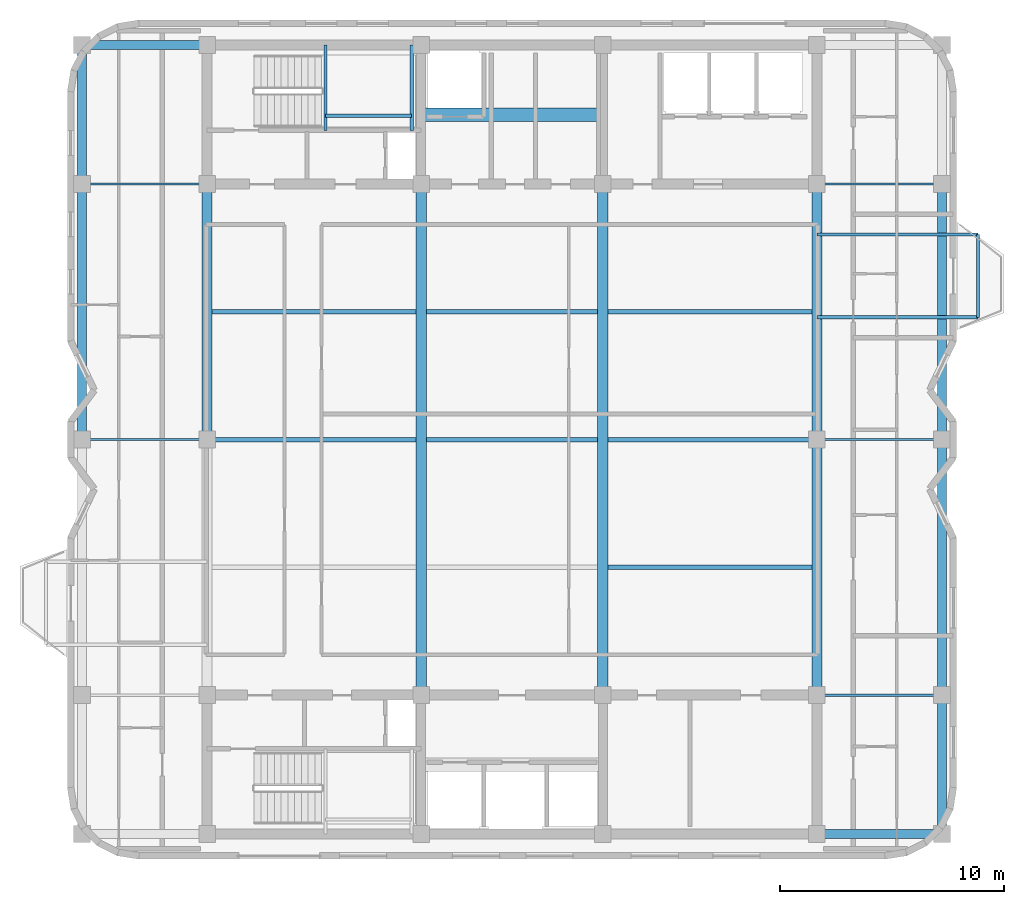
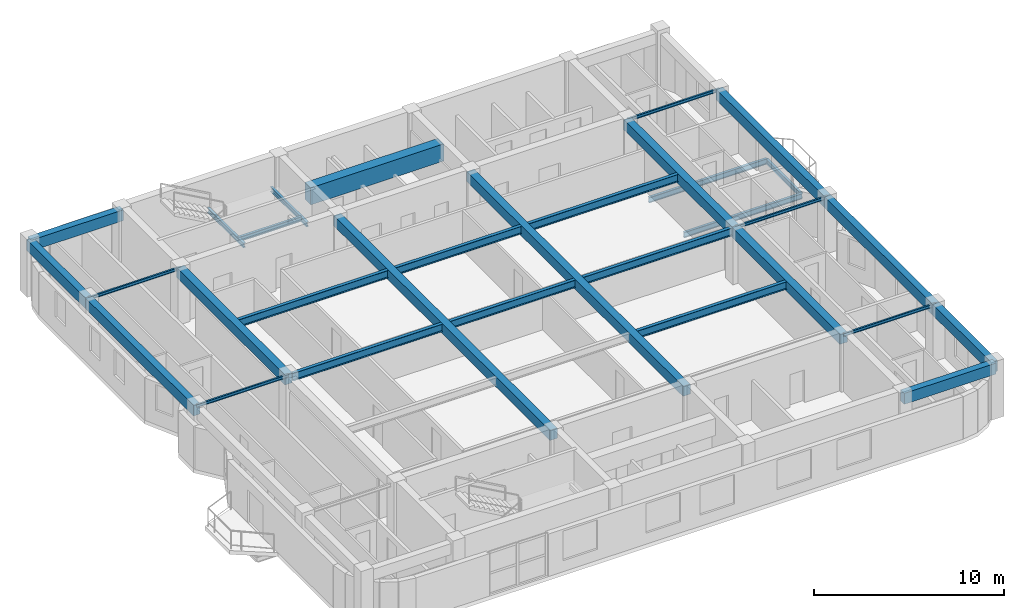
# One storey, part 3 of 11: 31 beams.
"""IFC4 building model written with IfcOpenShell, lengths in metres."""

import ifcopenshell
import ifcopenshell.guid

model = None  # the IFC model being written
_history = None  # IfcOwnerHistory: only IFC2X3 demands one
_inside = {}  # id of a spatial element -> (the spatial element, [elements in it])
_under = {}  # id of a project, library or spatial element -> (it, [spatial elements below it])
_declared = {}  # id of a project -> (the project, [libraries it declares])
_typed = {}  # id of a type object -> (the type object, [elements of that type])
_made_of = {}  # id of a material, layer set ... -> (it, [elements and type objects made of it])


def new_model(schema):
    """Start an empty IFC model of exactly this schema.

    Asked for "IFC4X3", IfcOpenShell would pick the latest addendum, in which some entities
    have other attributes; the version numbers below select the first issue.
    IFC2X3 requires an IfcOwnerHistory on every rooted entity: one is made here for all.
    """
    global model, _history
    if schema == "IFC4X3":
        model = ifcopenshell.file(schema_version=(4, 3, 0, 0))
    else:
        model = ifcopenshell.file(schema=schema)
    _inside.clear()
    _under.clear()
    _declared.clear()
    _typed.clear()
    _made_of.clear()
    _history = None
    if model.schema == "IFC2X3":
        org = make("IfcOrganization", Name="unknown")
        user = make(
            "IfcPersonAndOrganization",
            ThePerson=make("IfcPerson", FamilyName="unknown"),
            TheOrganization=org,
        )
        app = make(
            "IfcApplication",
            ApplicationDeveloper=org,
            Version="unknown",
            ApplicationFullName="unknown",
            ApplicationIdentifier="unknown",
        )
        _history = make(
            "IfcOwnerHistory",
            OwningUser=user,
            OwningApplication=app,
            ChangeAction="ADDED",
            CreationDate=0,
        )
    return model


def make(cls, **values):
    """One entity of the class cls with the attributes given. An attribute that is None is left unset."""
    return model.create_entity(
        cls, **{name: value for name, value in values.items() if value is not None}
    )


def rooted(cls, **values):
    """An entity with a GlobalId (a new one), such as an element, a storey or a relation."""
    return make(cls, GlobalId=ifcopenshell.guid.new(), OwnerHistory=_history, **values)


def si_unit(unit_type, name, prefix=None):
    """IfcSIUnit, for example si_unit("LENGTHUNIT", "METRE", prefix="MILLI")."""
    return make("IfcSIUnit", UnitType=unit_type, Prefix=prefix, Name=name)


def assignment(units):
    """IfcUnitAssignment: the units of a project."""
    return None if units is None else make("IfcUnitAssignment", Units=units)


def point(xyz):
    """IfcCartesianPoint."""
    return None if xyz is None else make("IfcCartesianPoint", Coordinates=xyz)


def direction(xyz):
    """IfcDirection."""
    return None if xyz is None else make("IfcDirection", DirectionRatios=xyz)


def frame(location, z_axis=None, x_axis=None):
    """IfcAxis2Placement3D, a coordinate frame: its origin and axes. An axis left out is left unset."""
    return make(
        "IfcAxis2Placement3D",
        Location=point(location),
        Axis=direction(z_axis),
        RefDirection=direction(x_axis),
    )


def frame_2d(location, x_axis=None):
    """IfcAxis2Placement2D, a coordinate frame in the plane: its origin and x axis."""
    return make(
        "IfcAxis2Placement2D", Location=point(location), RefDirection=direction(x_axis)
    )


def origin():
    """The frame at (0, 0, 0) with its axes left unset."""
    return frame((0.0, 0.0, 0.0))


def origin_2d():
    """The frame at (0, 0) in the plane with its x axis left unset."""
    return frame_2d((0.0, 0.0))


def place(relative_to, where):
    """IfcLocalPlacement: puts the frame where relative to a parent placement (None: the world)."""
    return make(
        "IfcLocalPlacement", PlacementRelTo=relative_to, RelativePlacement=where
    )


def context(
    kind, dimensions, precision=None, world=None, true_north=None, identifier=None
):
    """IfcGeometricRepresentationContext, for example the 3D "Model" context."""
    return make(
        "IfcGeometricRepresentationContext",
        ContextIdentifier=identifier,
        ContextType=kind,
        CoordinateSpaceDimension=dimensions,
        Precision=precision,
        WorldCoordinateSystem=world,
        TrueNorth=true_north,
    )


def subcontext(parent, identifier, kind, view, scale=None):
    """IfcGeometricRepresentationSubContext, for example "Body" below "Model"."""
    return make(
        "IfcGeometricRepresentationSubContext",
        ContextIdentifier=identifier,
        ContextType=kind,
        ParentContext=parent,
        TargetScale=scale,
        TargetView=view,
    )


def project(units=None, contexts=None):
    """IfcProject with its units and contexts."""
    return rooted(
        "IfcProject",
        Name="project",
        RepresentationContexts=contexts,
        UnitsInContext=assignment(units),
    )


def spatial(cls, under=None, at=None, **own):
    """A site, building, storey or space (cls), placed at a placement, below another one or the project."""
    s = rooted(cls, ObjectPlacement=at, **own)
    if under is not None:
        _under.setdefault(under.id(), (under, []))[1].append(s)
    return s


def profile(cls, at=None, kind="AREA", **sizes):
    """A parametric profile (cls). Its sizes go by their IFC names, for example OverallWidth=200.0."""
    return make(cls, ProfileType=kind, Position=at, **sizes)


def rectangle(**sizes):
    """IfcRectangleProfileDef."""
    return profile("IfcRectangleProfileDef", **sizes)


def i_section(**sizes):
    """IfcIShapeProfileDef."""
    return profile("IfcIShapeProfileDef", **sizes)


def extrude(swept, where, along, depth):
    """IfcExtrudedAreaSolid: the profile swept, set in the frame where, extruded along a direction by depth."""
    return make(
        "IfcExtrudedAreaSolid",
        SweptArea=swept,
        Position=where,
        ExtrudedDirection=direction(along),
        Depth=depth,
    )


def shape(context_of_items, identifier, shape_type, items):
    """IfcShapeRepresentation: the items that make up one representation, for example the "Body"."""
    return make(
        "IfcShapeRepresentation",
        ContextOfItems=context_of_items,
        RepresentationIdentifier=identifier,
        RepresentationType=shape_type,
        Items=items,
    )


def material(Name=None, Category=None):
    """IfcMaterial."""
    return make("IfcMaterial", Name=Name, Category=Category)


def material_profile(
    of_material, cross_section, Name=None, Category=None, Priority=None
):
    """IfcMaterialProfile: a cross section and its material."""
    return make(
        "IfcMaterialProfile",
        Name=Name,
        Material=of_material,
        Profile=cross_section,
        Priority=Priority,
        Category=Category,
    )


def profile_set(profiles, Name=None, composite=None):
    """IfcMaterialProfileSet."""
    return make(
        "IfcMaterialProfileSet",
        Name=Name,
        MaterialProfiles=profiles,
        CompositeProfile=composite,
    )


def made_of(thing, what):
    """Note that an element or type object is made of a material, layer set ...; save() writes the relation."""
    if what is not None:
        _made_of.setdefault(what.id(), (what, []))[1].append(thing)
    return thing


def type_object(cls, material=None, **own):
    """A type object (cls), such as IfcWallType, which elements share."""
    return made_of(rooted(cls, **own), material)


def element(
    cls,
    number,
    at=None,
    inside=None,
    cuts=None,
    type_object=None,
    material=None,
    context=None,
    identifier="Body",
    shape_type=None,
    held_by="IfcProductDefinitionShape",
    body=None,
    shapes=None,
    **own,
):
    """One element of the class cls, such as IfcWall. Its Tag is "e" and its number.

    at: its placement. inside: the storey or other place that contains it. cuts: it is an
    opening in that element (IfcRelVoidsElement). A single representation is given by context,
    identifier, shape_type and body (its items); several are given by shapes. held_by: the class
    of the entity that holds the representations. save() writes the other relations.
    """
    e = rooted(cls, Tag="e%d" % number, ObjectPlacement=at, **own)
    if body is not None:
        shapes = [shape(context, identifier, shape_type, body)]
    if shapes is not None:
        e.Representation = make(held_by, Representations=shapes)
    if inside is not None:
        _inside.setdefault(inside.id(), (inside, []))[1].append(e)
    if cuts is not None:
        rooted(
            "IfcRelVoidsElement", RelatingBuildingElement=cuts, RelatedOpeningElement=e
        )
    if type_object is not None:
        _typed.setdefault(type_object.id(), (type_object, []))[1].append(e)
    return made_of(e, material)


def aggregate(whole, parts):
    """IfcRelAggregates: a whole, such as a stair, and the parts it consists of."""
    return rooted("IfcRelAggregates", RelatingObject=whole, RelatedObjects=parts)


def save(model, path):
    """Write the relations noted so far, then the file.

    IfcRelAggregates (storeys below a building ...), IfcRelContainedInSpatialStructure (elements
    in a storey), IfcRelDefinesByType, IfcRelAssociatesMaterial and IfcRelDeclares: one each for
    every whole, place, type object, material and project.
    """
    for whole, parts in _under.values():
        aggregate(whole, parts)
    for where, things in _inside.values():
        rooted(
            "IfcRelContainedInSpatialStructure",
            RelatedElements=things,
            RelatingStructure=where,
        )
    for kind, things in _typed.values():
        rooted("IfcRelDefinesByType", RelatedObjects=things, RelatingType=kind)
    for what, things in _made_of.values():
        rooted("IfcRelAssociatesMaterial", RelatedObjects=things, RelatingMaterial=what)
    for by, libraries in _declared.values():
        rooted("IfcRelDeclares", RelatingContext=by, RelatedDefinitions=libraries)
    model.write(path)


model = new_model("IFC4")

# Units and contexts
model_context = context("Model", 3, precision=1e-05, world=origin(), true_north=direction((0.0, 1.0)))
body_context = subcontext(model_context, "Body", "Model", "MODEL_VIEW")
ifc_project = project(units=[si_unit("LENGTHUNIT", "METRE"), si_unit("AREAUNIT", "SQUARE_METRE"), si_unit("VOLUMEUNIT", "CUBIC_METRE"), si_unit("PLANEANGLEUNIT", "RADIAN"), si_unit("MASSUNIT", "GRAM", prefix="KILO")], contexts=[model_context])

# Site, building, storey
site_placement = place(None, origin())
site = spatial("IfcSite", under=ifc_project, at=site_placement, CompositionType="ELEMENT")
building_placement = place(site_placement, origin())
building = spatial("IfcBuilding", under=site, at=building_placement, Name="Svetorya Sky Lyceum", CompositionType="ELEMENT")
storey_placement = place(building_placement, frame((0.0, 0.0, 275.0)))
storey = spatial("IfcBuildingStorey", under=building, at=storey_placement, Name="L69", CompositionType="ELEMENT", Elevation=275.0)

# Beams
ifc_material_1 = material(Name="Concrete C60/75", Category="concrete")
ifc_material_profile_1 = material_profile(ifc_material_1, rectangle(XDim=0.60009765625, YDim=1.10009765625, at=origin_2d()), Name="RC COUPLING 600x1100")
ifc_profile_set_1 = profile_set([ifc_material_profile_1], Name="Concrete C60/75")
beam_type_1 = type_object("IfcBeamType", Name="BM-CPL-1100", PredefinedType="LINTEL", material=ifc_profile_set_1)
beam_1_placement = place(storey_placement, frame((35.14990234375, 42.699951171875, 2.89990234375), z_axis=(1.0, 0.0, 0.0), x_axis=(0.0, 1.0, 0.0)))
element("IfcBeam", 1, at=beam_1_placement, inside=storey, type_object=beam_type_1, Name="L69 NC Core Coupling Beam", PredefinedType="LINTEL", context=body_context, shape_type="SweptSolid", body=[
    extrude(rectangle(XDim=0.60009765625, YDim=1.10009765625, at=origin_2d()), origin(), (0.0, 0.0, 1.0), 8.10009765625),
])
ifc_material_2 = material(Name="Concrete C40/50", Category="concrete")
ifc_material_profile_2 = material_profile(ifc_material_2, rectangle(XDim=0.449951171875, YDim=0.64990234375, at=origin_2d()), Name="RC BEAM 450x650")
ifc_profile_set_2 = profile_set([ifc_material_profile_2], Name="Concrete C40/50")
beam_type_2 = type_object("IfcBeamType", Name="BM-RC-650", PredefinedType="BEAM", material=ifc_profile_set_2)
beam_2_placement = place(storey_placement, frame((25.60009765625, 28.199951171875, 3.125), z_axis=(0.0, 1.0, 0.0), x_axis=(-1.0, 0.0, 0.0)))
element("IfcBeam", 2, at=beam_2_placement, inside=storey, type_object=beam_type_2, Name="L69 Central Bay Primary Girder CG-1B", PredefinedType="BEAM", context=body_context, shape_type="SweptSolid", body=[
    extrude(rectangle(XDim=0.449951171875, YDim=0.64990234375, at=origin_2d()), origin(), (0.0, 0.0, 1.0), 11.400146484375),
])
for number, where, z_axis, x_axis, name in (
    (3, (35.14990234375, 16.800048828125, 3.125), (0.0, 1.0, 0.0), (-1.0, 0.0, 0.0), "L69 Central Bay Primary Girder CG-2"),
    (4, (43.25, 16.800048828125, 3.125), (0.0, 1.0, 0.0), (-1.0, 0.0, 0.0), "L69 Central Bay Primary Girder CG-3"),
):
    element("IfcBeam", number, at=place(storey_placement, frame(where, z_axis=z_axis, x_axis=x_axis)), inside=storey, type_object=beam_type_2, Name=name, PredefinedType="BEAM", context=body_context, shape_type="SweptSolid", body=[
        extrude(rectangle(XDim=0.449951171875, YDim=0.64990234375, at=origin_2d()), origin(), (0.0, 0.0, 1.0), 22.800048828125),
    ])
beam_3_placement = place(storey_placement, frame((52.800048828125, 16.800048828125, 3.125), z_axis=(0.0, 1.0, 0.0), x_axis=(-1.0, 0.0, 0.0)))
element("IfcBeam", 5, at=beam_3_placement, inside=storey, type_object=beam_type_2, Name="L69 Central Bay Primary Girder CG-4A", PredefinedType="BEAM", context=body_context, shape_type="SweptSolid", body=[
    extrude(rectangle(XDim=0.449951171875, YDim=0.64990234375, at=origin_2d()), origin(), (0.0, 0.0, 1.0), 11.39990234375),
])
beam_4_placement = place(storey_placement, frame((52.800048828125, 28.199951171875, 3.125), z_axis=(0.0, 1.0, 0.0), x_axis=(-1.0, 0.0, 0.0)))
element("IfcBeam", 6, at=beam_4_placement, inside=storey, type_object=beam_type_2, Name="L69 Central Bay Primary Girder CG-4B", PredefinedType="BEAM", context=body_context, shape_type="SweptSolid", body=[
    extrude(rectangle(XDim=0.449951171875, YDim=0.64990234375, at=origin_2d()), origin(), (0.0, 0.0, 1.0), 11.400146484375),
])
ifc_material_3 = material(Name="Concrete C50/60", Category="concrete")
ifc_material_profile_3 = material_profile(ifc_material_3, rectangle(XDim=0.39990234375, YDim=0.699951171875, at=origin_2d()), Name="RC SPANDREL 400x700")
ifc_profile_set_3 = profile_set([ifc_material_profile_3], Name="Concrete C50/60")
beam_type_3 = type_object("IfcBeamType", Name="BM-SPN-700", PredefinedType="SPANDREL", material=ifc_profile_set_3)
beam_5_placement = place(storey_placement, frame((20.010009765625, 45.800048828125, 3.10009765625), z_axis=(1.0, 0.0, 0.0), x_axis=(0.0, 1.0, 0.0)))
element("IfcBeam", 7, at=beam_5_placement, inside=storey, type_object=beam_type_3, Name="L69 Tie Spandrel NW", PredefinedType="SPANDREL", context=body_context, shape_type="SweptSolid", body=[
    extrude(rectangle(XDim=0.39990234375, YDim=0.699951171875, at=origin_2d()), origin(), (0.0, 0.0, 1.0), 5.590087890625),
])
beam_6_placement = place(storey_placement, frame((52.800048828125, 10.60009765625, 3.10009765625), z_axis=(1.0, 0.0, 0.0), x_axis=(0.0, 1.0, 0.0)))
element("IfcBeam", 8, at=beam_6_placement, inside=storey, type_object=beam_type_3, Name="L69 Tie Spandrel SE", PredefinedType="SPANDREL", context=body_context, shape_type="SweptSolid", body=[
    extrude(rectangle(XDim=0.39990234375, YDim=0.699951171875, at=origin_2d()), origin(), (0.0, 0.0, 1.0), 5.58984375),
])
beam_7_placement = place(storey_placement, frame((20.010009765625, 28.199951171875, 3.10009765625), z_axis=(0.0, 1.0, 0.0), x_axis=(-1.0, 0.0, 0.0)))
element("IfcBeam", 9, at=beam_7_placement, inside=storey, type_object=beam_type_3, Name="L69 West Spandrel 3", PredefinedType="SPANDREL", context=body_context, shape_type="SweptSolid", body=[
    extrude(rectangle(XDim=0.39990234375, YDim=0.699951171875, at=origin_2d()), origin(), (0.0, 0.0, 1.0), 11.400146484375),
])
for number, where, z_axis, x_axis, name in (
    (10, (20.010009765625, 39.60009765625, 3.10009765625), (0.0, 1.0, 0.0), (-1.0, 0.0, 0.0), "L69 West Spandrel 4"),
    (11, (58.389892578125, 10.60009765625, 3.10009765625), (0.0, 1.0, 0.0), (-1.0, 0.0, 0.0), "L69 East Spandrel 1"),
):
    element("IfcBeam", number, at=place(storey_placement, frame(where, z_axis=z_axis, x_axis=x_axis)), inside=storey, type_object=beam_type_3, Name=name, PredefinedType="SPANDREL", context=body_context, shape_type="SweptSolid", body=[
        extrude(rectangle(XDim=0.39990234375, YDim=0.699951171875, at=origin_2d()), origin(), (0.0, 0.0, 1.0), 6.199951171875),
    ])
beam_8_placement = place(storey_placement, frame((58.389892578125, 16.800048828125, 3.10009765625), z_axis=(0.0, 1.0, 0.0), x_axis=(-1.0, 0.0, 0.0)))
element("IfcBeam", 12, at=beam_8_placement, inside=storey, type_object=beam_type_3, Name="L69 East Spandrel 2", PredefinedType="SPANDREL", context=body_context, shape_type="SweptSolid", body=[
    extrude(rectangle(XDim=0.39990234375, YDim=0.699951171875, at=origin_2d()), origin(), (0.0, 0.0, 1.0), 11.39990234375),
])
beam_9_placement = place(storey_placement, frame((58.389892578125, 28.199951171875, 3.10009765625), z_axis=(0.0, 1.0, 0.0), x_axis=(-1.0, 0.0, 0.0)))
element("IfcBeam", 13, at=beam_9_placement, inside=storey, type_object=beam_type_3, Name="L69 East Spandrel 3", PredefinedType="SPANDREL", context=body_context, shape_type="SweptSolid", body=[
    extrude(rectangle(XDim=0.39990234375, YDim=0.699951171875, at=origin_2d()), origin(), (0.0, 0.0, 1.0), 11.400146484375),
])
ifc_material_4 = material(Name="Steel S355", Category="steel")
ifc_material_profile_4 = material_profile(ifc_material_4, i_section(OverallWidth=0.10009765625, OverallDepth=0.199951171875, WebThickness=0.005615234375, FlangeThickness=0.008544921875, at=origin_2d()), Name="GOST 20B1")
ifc_profile_set_4 = profile_set([ifc_material_profile_4], Name="Steel S355")
beam_type_4 = type_object("IfcBeamType", Name="BM-STL-20B1", PredefinedType="JOIST", material=ifc_profile_set_4)
beam_10_placement = place(storey_placement, frame((52.800048828125, 16.800048828125, 3.35009765625), z_axis=(1.0, 0.0, 0.0), x_axis=(0.0, 1.0, 0.0)))
element("IfcBeam", 14, at=beam_10_placement, inside=storey, type_object=beam_type_4, Name="L69 East Wing Floor Joist E2", PredefinedType="JOIST", context=body_context, shape_type="SweptSolid", body=[
    extrude(i_section(OverallWidth=0.10009765625, OverallDepth=0.199951171875, WebThickness=0.005615234375, FlangeThickness=0.008544921875, at=origin_2d()), origin(), (0.0, 0.0, 1.0), 5.58984375),
])
beam_11_placement = place(storey_placement, frame((20.010009765625, 28.199951171875, 3.35009765625), z_axis=(1.0, 0.0, 0.0), x_axis=(0.0, 1.0, 0.0)))
element("IfcBeam", 15, at=beam_11_placement, inside=storey, type_object=beam_type_4, Name="L69 West Wing Floor Joist W3", PredefinedType="JOIST", context=body_context, shape_type="SweptSolid", body=[
    extrude(i_section(OverallWidth=0.10009765625, OverallDepth=0.199951171875, WebThickness=0.005615234375, FlangeThickness=0.008544921875, at=origin_2d()), origin(), (0.0, 0.0, 1.0), 5.590087890625),
])
beam_12_placement = place(storey_placement, frame((52.800048828125, 28.199951171875, 3.35009765625), z_axis=(1.0, 0.0, 0.0), x_axis=(0.0, 1.0, 0.0)))
element("IfcBeam", 16, at=beam_12_placement, inside=storey, type_object=beam_type_4, Name="L69 East Wing Floor Joist E3", PredefinedType="JOIST", context=body_context, shape_type="SweptSolid", body=[
    extrude(i_section(OverallWidth=0.10009765625, OverallDepth=0.199951171875, WebThickness=0.005615234375, FlangeThickness=0.008544921875, at=origin_2d()), origin(), (0.0, 0.0, 1.0), 5.58984375),
])
beam_13_placement = place(storey_placement, frame((20.010009765625, 39.60009765625, 3.35009765625), z_axis=(1.0, 0.0, 0.0), x_axis=(0.0, 1.0, 0.0)))
element("IfcBeam", 17, at=beam_13_placement, inside=storey, type_object=beam_type_4, Name="L69 West Wing Floor Joist W4", PredefinedType="JOIST", context=body_context, shape_type="SweptSolid", body=[
    extrude(i_section(OverallWidth=0.10009765625, OverallDepth=0.199951171875, WebThickness=0.005615234375, FlangeThickness=0.008544921875, at=origin_2d()), origin(), (0.0, 0.0, 1.0), 5.590087890625),
])
beam_14_placement = place(storey_placement, frame((52.800048828125, 39.60009765625, 3.35009765625), z_axis=(1.0, 0.0, 0.0), x_axis=(0.0, 1.0, 0.0)))
element("IfcBeam", 18, at=beam_14_placement, inside=storey, type_object=beam_type_4, Name="L69 East Wing Floor Joist E4", PredefinedType="JOIST", context=body_context, shape_type="SweptSolid", body=[
    extrude(i_section(OverallWidth=0.10009765625, OverallDepth=0.199951171875, WebThickness=0.005615234375, FlangeThickness=0.008544921875, at=origin_2d()), origin(), (0.0, 0.0, 1.0), 5.58984375),
])
ifc_material_profile_5 = material_profile(ifc_material_4, i_section(OverallWidth=0.14990234375, OverallDepth=0.299072265625, WebThickness=0.006591796875, FlangeThickness=0.010498046875, at=origin_2d()), Name="GOST 30B2")
ifc_profile_set_5 = profile_set([ifc_material_profile_5], Name="Steel S355")
beam_type_5 = type_object("IfcBeamType", Name="BM-STL-30B2", PredefinedType="JOIST", material=ifc_profile_set_5)
beam_15_placement = place(storey_placement, frame((59.989990234375, 33.64990234375, -0.424560546875), z_axis=(0.0, 1.0, 0.0), x_axis=(-1.0, 0.0, 0.0)))
element("IfcBeam", 19, at=beam_15_placement, inside=storey, type_object=beam_type_5, Name="L69 Balcony Edge Tie BAL-E1", PredefinedType="JOIST", context=body_context, shape_type="SweptSolid", body=[
    extrude(i_section(OverallWidth=0.14990234375, OverallDepth=0.299072265625, WebThickness=0.006591796875, FlangeThickness=0.010498046875, at=origin_2d()), origin(), (0.0, 0.0, 1.0), 3.7001953125),
])
for number, where, z_axis, x_axis, name in (
    (20, (30.8798828125, 42.0, 1.50048828125), (0.0, 1.0, 0.0), (-1.0, 0.0, 0.0), "L69 Stair ST-N Half-Landing Support Beam 77.1"),
    (21, (34.719970703125, 42.0, 1.50048828125), (0.0, 1.0, 0.0), (-1.0, 0.0, 0.0), "L69 Stair ST-N Half-Landing Support Beam 77.2"),
):
    element("IfcBeam", number, at=place(storey_placement, frame(where, z_axis=z_axis, x_axis=x_axis)), inside=storey, type_object=beam_type_5, Name=name, PredefinedType="JOIST", context=body_context, shape_type="SweptSolid", body=[
        extrude(i_section(OverallWidth=0.14990234375, OverallDepth=0.299072265625, WebThickness=0.006591796875, FlangeThickness=0.010498046875, at=origin_2d()), origin(), (0.0, 0.0, 1.0), 3.800048828125),
    ])
beam_16_placement = place(storey_placement, frame((30.8798828125, 42.64990234375, 1.50048828125), z_axis=(1.0, 0.0, 0.0), x_axis=(0.0, 1.0, 0.0)))
element("IfcBeam", 22, at=beam_16_placement, inside=storey, type_object=beam_type_5, Name="L69 Stair ST-N Half-Landing Cross Tie 77", PredefinedType="JOIST", context=body_context, shape_type="SweptSolid", body=[
    extrude(i_section(OverallWidth=0.14990234375, OverallDepth=0.299072265625, WebThickness=0.006591796875, FlangeThickness=0.010498046875, at=origin_2d()), origin(), (0.0, 0.0, 1.0), 3.840087890625),
])
ifc_material_profile_6 = material_profile(ifc_material_4, i_section(OverallWidth=0.155029296875, OverallDepth=0.34912109375, WebThickness=0.007080078125, FlangeThickness=0.011474609375, at=origin_2d()), Name="GOST 35B2")
ifc_profile_set_6 = profile_set([ifc_material_profile_6], Name="Steel S355")
beam_type_6 = type_object("IfcBeamType", Name="BM-STL-35B2", PredefinedType="JOIST", material=ifc_profile_set_6)
for number, where, z_axis, x_axis, name in (
    (23, (52.800048828125, 33.64990234375, -0.424560546875), (1.0, 0.0, 0.0), (0.0, 1.0, 0.0), "L69 Balcony Cantilever Beam BAL-E1-1"),
    (24, (52.800048828125, 37.35009765625, -0.424560546875), (1.0, 0.0, 0.0), (0.0, 1.0, 0.0), "L69 Balcony Cantilever Beam BAL-E1-2"),
):
    element("IfcBeam", number, at=place(storey_placement, frame(where, z_axis=z_axis, x_axis=x_axis)), inside=storey, type_object=beam_type_6, Name=name, PredefinedType="JOIST", context=body_context, shape_type="SweptSolid", body=[
        extrude(i_section(OverallWidth=0.155029296875, OverallDepth=0.34912109375, WebThickness=0.007080078125, FlangeThickness=0.011474609375, at=origin_2d()), origin(), (0.0, 0.0, 1.0), 7.18994140625),
    ])
ifc_material_profile_7 = material_profile(ifc_material_4, i_section(OverallWidth=0.198974609375, OverallDepth=0.498046875, WebThickness=0.010009765625, FlangeThickness=0.01611328125, at=origin_2d()), Name="GOST 50B2")
ifc_profile_set_7 = profile_set([ifc_material_profile_7], Name="Steel S355")
beam_type_7 = type_object("IfcBeamType", Name="BM-STL-50B2", PredefinedType="BEAM", material=ifc_profile_set_7)
beam_17_placement = place(storey_placement, frame((43.47509765625, 22.5, 3.200927734375), z_axis=(1.0, 0.0, 0.0), x_axis=(0.0, 1.0, 0.0)))
element("IfcBeam", 25, at=beam_17_placement, inside=storey, type_object=beam_type_7, Name="L69 Central Floor Joist CJ-1.3", PredefinedType="BEAM", context=body_context, shape_type="SweptSolid", body=[
    extrude(i_section(OverallWidth=0.198974609375, OverallDepth=0.498046875, WebThickness=0.010009765625, FlangeThickness=0.01611328125, at=origin_2d()), origin(), (0.0, 0.0, 1.0), 9.099853515625),
])
beam_18_placement = place(storey_placement, frame((25.824951171875, 28.199951171875, 3.200927734375), z_axis=(1.0, 0.0, 0.0), x_axis=(0.0, 1.0, 0.0)))
element("IfcBeam", 26, at=beam_18_placement, inside=storey, type_object=beam_type_7, Name="L69 Central Floor Joist CJ-2.1", PredefinedType="BEAM", context=body_context, shape_type="SweptSolid", body=[
    extrude(i_section(OverallWidth=0.198974609375, OverallDepth=0.498046875, WebThickness=0.010009765625, FlangeThickness=0.01611328125, at=origin_2d()), origin(), (0.0, 0.0, 1.0), 9.10009765625),
])
beam_19_placement = place(storey_placement, frame((35.375, 28.199951171875, 3.200927734375), z_axis=(1.0, 0.0, 0.0), x_axis=(0.0, 1.0, 0.0)))
element("IfcBeam", 27, at=beam_19_placement, inside=storey, type_object=beam_type_7, Name="L69 Central Floor Joist CJ-2.2", PredefinedType="BEAM", context=body_context, shape_type="SweptSolid", body=[
    extrude(i_section(OverallWidth=0.198974609375, OverallDepth=0.498046875, WebThickness=0.010009765625, FlangeThickness=0.01611328125, at=origin_2d()), origin(), (0.0, 0.0, 1.0), 7.64990234375),
])
beam_20_placement = place(storey_placement, frame((43.47509765625, 28.199951171875, 3.200927734375), z_axis=(1.0, 0.0, 0.0), x_axis=(0.0, 1.0, 0.0)))
element("IfcBeam", 28, at=beam_20_placement, inside=storey, type_object=beam_type_7, Name="L69 Central Floor Joist CJ-2.3", PredefinedType="BEAM", context=body_context, shape_type="SweptSolid", body=[
    extrude(i_section(OverallWidth=0.198974609375, OverallDepth=0.498046875, WebThickness=0.010009765625, FlangeThickness=0.01611328125, at=origin_2d()), origin(), (0.0, 0.0, 1.0), 9.099853515625),
])
beam_21_placement = place(storey_placement, frame((25.824951171875, 33.89990234375, 3.200927734375), z_axis=(1.0, 0.0, 0.0), x_axis=(0.0, 1.0, 0.0)))
element("IfcBeam", 29, at=beam_21_placement, inside=storey, type_object=beam_type_7, Name="L69 Central Floor Joist CJ-3.1", PredefinedType="BEAM", context=body_context, shape_type="SweptSolid", body=[
    extrude(i_section(OverallWidth=0.198974609375, OverallDepth=0.498046875, WebThickness=0.010009765625, FlangeThickness=0.01611328125, at=origin_2d()), origin(), (0.0, 0.0, 1.0), 9.10009765625),
])
beam_22_placement = place(storey_placement, frame((35.375, 33.89990234375, 3.200927734375), z_axis=(1.0, 0.0, 0.0), x_axis=(0.0, 1.0, 0.0)))
element("IfcBeam", 30, at=beam_22_placement, inside=storey, type_object=beam_type_7, Name="L69 Central Floor Joist CJ-3.2", PredefinedType="BEAM", context=body_context, shape_type="SweptSolid", body=[
    extrude(i_section(OverallWidth=0.198974609375, OverallDepth=0.498046875, WebThickness=0.010009765625, FlangeThickness=0.01611328125, at=origin_2d()), origin(), (0.0, 0.0, 1.0), 7.64990234375),
])
beam_23_placement = place(storey_placement, frame((43.47509765625, 33.89990234375, 3.200927734375), z_axis=(1.0, 0.0, 0.0), x_axis=(0.0, 1.0, 0.0)))
element("IfcBeam", 31, at=beam_23_placement, inside=storey, type_object=beam_type_7, Name="L69 Central Floor Joist CJ-3.3", PredefinedType="BEAM", context=body_context, shape_type="SweptSolid", body=[
    extrude(i_section(OverallWidth=0.198974609375, OverallDepth=0.498046875, WebThickness=0.010009765625, FlangeThickness=0.01611328125, at=origin_2d()), origin(), (0.0, 0.0, 1.0), 9.099853515625),
])

save(model, "model.ifc")
